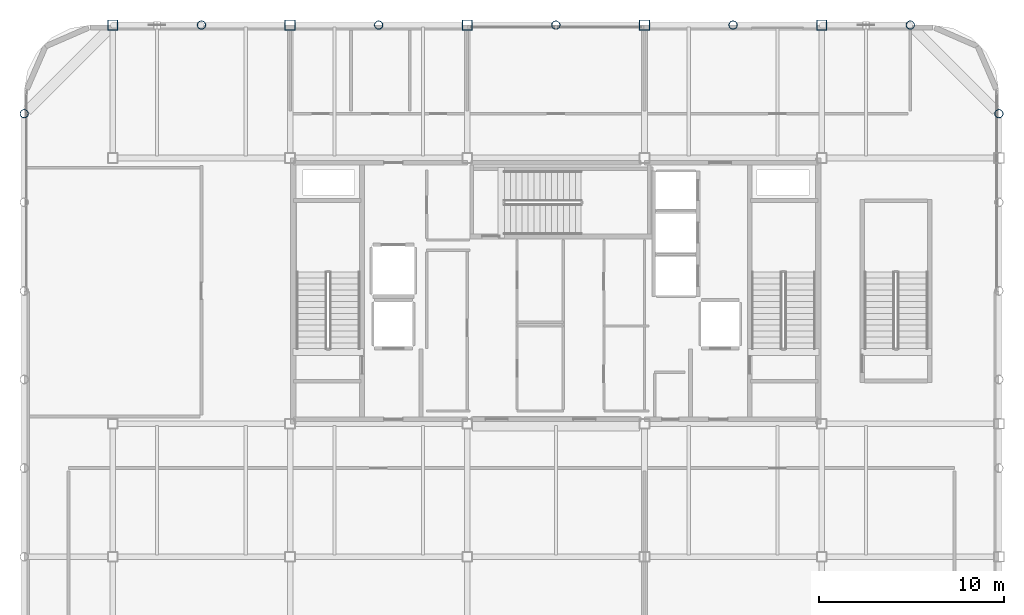
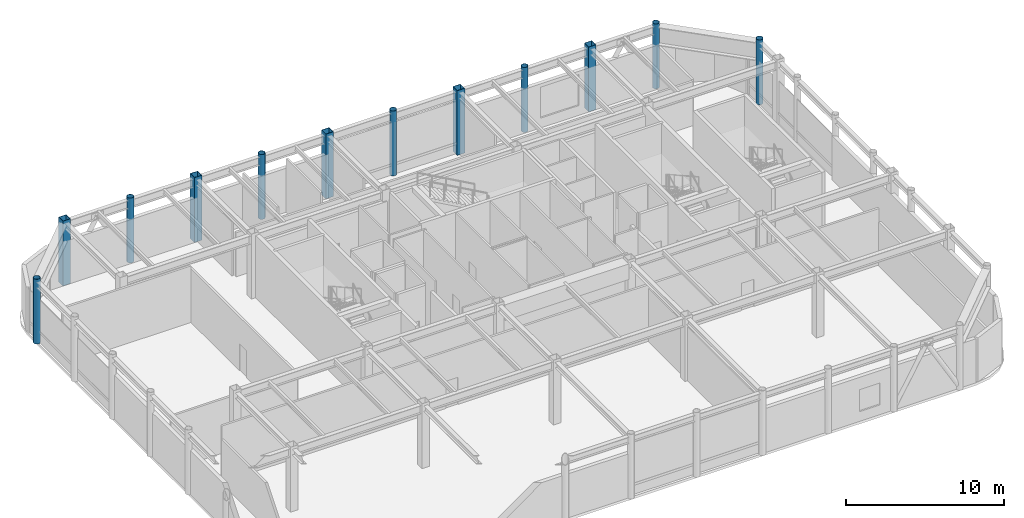
# One storey, part 3 of 21: 12 columns.
"""IFC4 building model written with IfcOpenShell, lengths in metres."""

from ifc_helpers import new_model, si_unit, direction, frame, origin, origin_2d, place, context, subcontext, project, spatial, hollow_rectangle, hollow_circle, extrude, material, material_profile, profile_set, type_object, element, save


model = new_model("IFC4")

# Units and contexts
model_context = context("Model", 3, precision=1e-05, world=origin(), true_north=direction((0.0, 1.0)))
body_context = subcontext(model_context, "Body", "Model", "MODEL_VIEW")
ifc_project = project(units=[si_unit("LENGTHUNIT", "METRE"), si_unit("AREAUNIT", "SQUARE_METRE"), si_unit("VOLUMEUNIT", "CUBIC_METRE"), si_unit("PLANEANGLEUNIT", "RADIAN"), si_unit("MASSUNIT", "GRAM", prefix="KILO")], contexts=[model_context])

# Site, building, storey
site_placement = place(None, origin())
site = spatial("IfcSite", under=ifc_project, at=site_placement, CompositionType="ELEMENT")
building_placement = place(site_placement, origin())
building = spatial("IfcBuilding", under=site, at=building_placement, Name="Kallvorn Hotel Tower", CompositionType="ELEMENT")
storey_placement = place(building_placement, frame((0.0, 0.0, 295.60009765625)))
storey = spatial("IfcBuildingStorey", under=building, at=storey_placement, Name="L73", CompositionType="ELEMENT", Elevation=295.60009765625)

# Columns
ifc_material_1 = material(Name="Structural steel S355J2H", Category="steel")
ifc_material_profile_1 = material_profile(ifc_material_1, hollow_circle(Radius=0.228515625, WallThickness=0.02001953125, at=origin_2d()), Name="CHS 457x20")
ifc_profile_set_1 = profile_set([ifc_material_profile_1], Name="Structural steel S355J2H")
column_type_1 = type_object("IfcColumnType", Name="COL_CHS_457", PredefinedType="COLUMN", material=ifc_profile_set_1)
for number, where, z_axis, x_axis, name in (
    (1, (-28.800048828125, 9.60009765625, 0.0), (0.0, 0.0, 1.0), (1.0, 0.0, 0.0), "L73 Exoskeleton Column EC07"),
    (2, (-19.199951171875, 14.39990234375, 0.0), (0.0, 0.0, 1.0), (1.0, 0.0, 0.0), "L73 Exoskeleton Column EC10"),
    (3, (-9.60009765625, 14.39990234375, 0.0), (0.0, 0.0, 1.0), (1.0, 0.0, 0.0), "L73 Exoskeleton Column EC13"),
    (4, (0.0, 14.39990234375, 0.0), (0.0, 0.0, 1.0), (1.0, 0.0, 0.0), "L73 Exoskeleton Column EC16"),
    (5, (9.60009765625, 14.39990234375, 0.0), (0.0, 0.0, 1.0), (1.0, 0.0, 0.0), "L73 Exoskeleton Column EC19"),
    (6, (19.199951171875, 14.39990234375, 0.0), (0.0, 0.0, 1.0), (1.0, 0.0, 0.0), "L73 Exoskeleton Column EC22"),
    (7, (24.0, 9.60009765625, 0.0), (0.0, 0.0, 1.0), (1.0, 0.0, 0.0), "L73 Exoskeleton Column EC28"),
):
    element("IfcColumn", number, at=place(storey_placement, frame(where, z_axis=z_axis, x_axis=x_axis)), inside=storey, type_object=column_type_1, Name=name, PredefinedType="COLUMN", context=body_context, shape_type="SweptSolid", body=[
        extrude(hollow_circle(Radius=0.228515625, WallThickness=0.02001953125, at=origin_2d()), origin(), (0.0, 0.0, 1.0), 5.0),
    ])
ifc_material_2 = material(Name="Structural steel S355J2H", Category="steel")
ifc_material_profile_2 = material_profile(ifc_material_2, hollow_rectangle(XDim=0.550048828125, YDim=0.550048828125, WallThickness=0.02490234375, at=origin_2d()), Name="RHS 550x550x25")
ifc_profile_set_2 = profile_set([ifc_material_profile_2], Name="Structural steel S355J2H")
column_type_2 = type_object("IfcColumnType", Name="COL_RHS_550", PredefinedType="COLUMN", material=ifc_profile_set_2)
for number, where, z_axis, x_axis, name in (
    (8, (-24.0, 14.39990234375, 0.0), (0.0, 0.0, 1.0), (1.0, 0.0, 0.0), "L73 Inner Column IC04"),
    (9, (-14.39990234375, 14.39990234375, 0.0), (0.0, 0.0, 1.0), (1.0, 0.0, 0.0), "L73 Inner Column IC08"),
    (10, (-4.800048828125, 14.39990234375, 0.0), (0.0, 0.0, 1.0), (1.0, 0.0, 0.0), "L73 Inner Column IC12"),
    (11, (4.800048828125, 14.39990234375, 0.0), (0.0, 0.0, 1.0), (1.0, 0.0, 0.0), "L73 Inner Column IC16"),
    (12, (14.39990234375, 14.39990234375, 0.0), (0.0, 0.0, 1.0), (1.0, 0.0, 0.0), "L73 Inner Column IC20"),
):
    element("IfcColumn", number, at=place(storey_placement, frame(where, z_axis=z_axis, x_axis=x_axis)), inside=storey, type_object=column_type_2, Name=name, PredefinedType="COLUMN", context=body_context, shape_type="SweptSolid", body=[
        extrude(hollow_rectangle(XDim=0.550048828125, YDim=0.550048828125, WallThickness=0.02490234375, at=origin_2d()), origin(), (0.0, 0.0, 1.0), 5.0),
    ])

save(model, "model.ifc")
